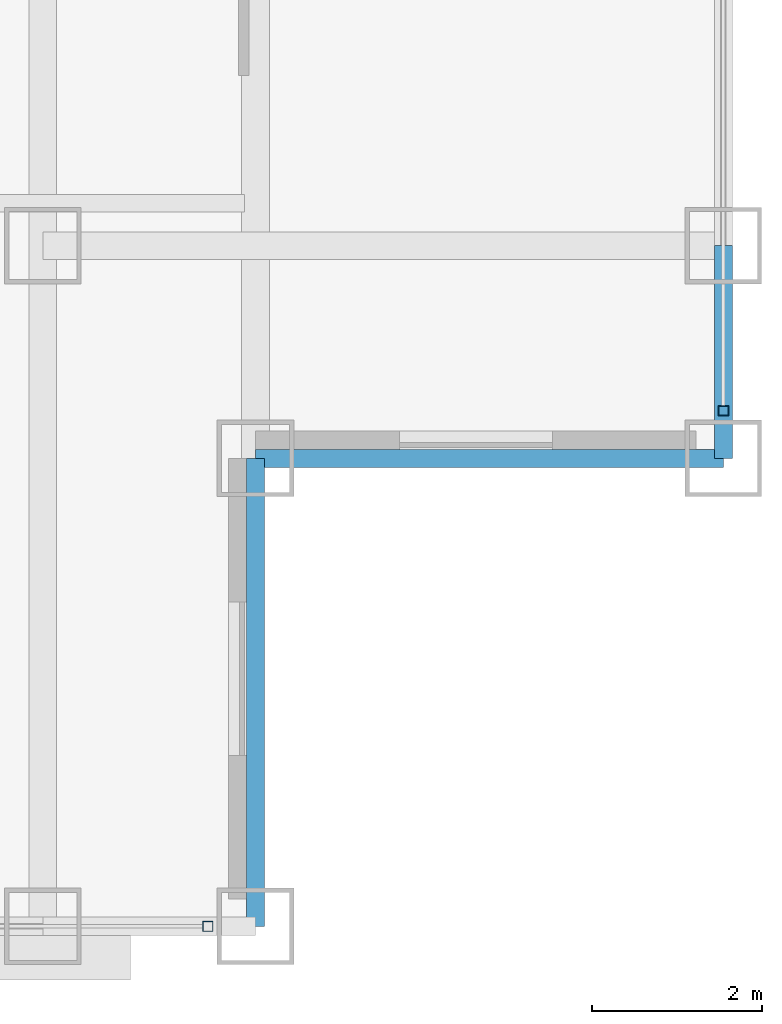
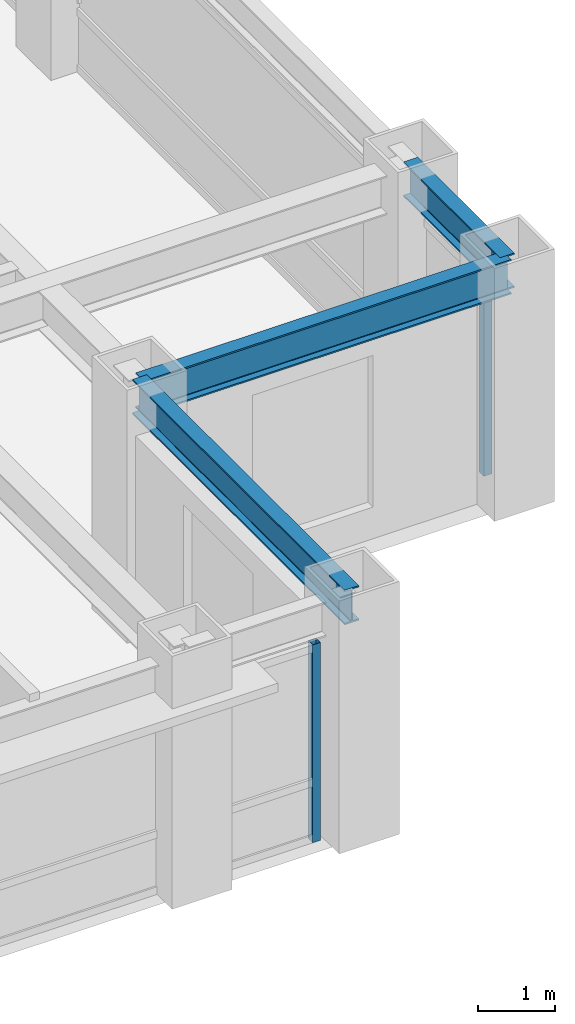
# One storey, part 8 of 27: 3 beams, 2 members, 2 elements without a shape of their own.
"""IFC4 building model written with IfcOpenShell, lengths in metres."""

import ifcopenshell
import ifcopenshell.guid

model = None  # the IFC model being written
_history = None  # IfcOwnerHistory: only IFC2X3 demands one
_inside = {}  # id of a spatial element -> (the spatial element, [elements in it])
_under = {}  # id of a project, library or spatial element -> (it, [spatial elements below it])
_declared = {}  # id of a project -> (the project, [libraries it declares])
_typed = {}  # id of a type object -> (the type object, [elements of that type])
_made_of = {}  # id of a material, layer set ... -> (it, [elements and type objects made of it])


def new_model(schema):
    """Start an empty IFC model of exactly this schema.

    Asked for "IFC4X3", IfcOpenShell would pick the latest addendum, in which some entities
    have other attributes; the version numbers below select the first issue.
    IFC2X3 requires an IfcOwnerHistory on every rooted entity: one is made here for all.
    """
    global model, _history
    if schema == "IFC4X3":
        model = ifcopenshell.file(schema_version=(4, 3, 0, 0))
    else:
        model = ifcopenshell.file(schema=schema)
    _inside.clear()
    _under.clear()
    _declared.clear()
    _typed.clear()
    _made_of.clear()
    _history = None
    if model.schema == "IFC2X3":
        org = make("IfcOrganization", Name="unknown")
        user = make(
            "IfcPersonAndOrganization",
            ThePerson=make("IfcPerson", FamilyName="unknown"),
            TheOrganization=org,
        )
        app = make(
            "IfcApplication",
            ApplicationDeveloper=org,
            Version="unknown",
            ApplicationFullName="unknown",
            ApplicationIdentifier="unknown",
        )
        _history = make(
            "IfcOwnerHistory",
            OwningUser=user,
            OwningApplication=app,
            ChangeAction="ADDED",
            CreationDate=0,
        )
    return model


def make(cls, **values):
    """One entity of the class cls with the attributes given. An attribute that is None is left unset."""
    return model.create_entity(
        cls, **{name: value for name, value in values.items() if value is not None}
    )


def rooted(cls, **values):
    """An entity with a GlobalId (a new one), such as an element, a storey or a relation."""
    return make(cls, GlobalId=ifcopenshell.guid.new(), OwnerHistory=_history, **values)


def si_unit(unit_type, name, prefix=None):
    """IfcSIUnit, for example si_unit("LENGTHUNIT", "METRE", prefix="MILLI")."""
    return make("IfcSIUnit", UnitType=unit_type, Prefix=prefix, Name=name)


def assignment(units):
    """IfcUnitAssignment: the units of a project."""
    return None if units is None else make("IfcUnitAssignment", Units=units)


def point(xyz):
    """IfcCartesianPoint."""
    return None if xyz is None else make("IfcCartesianPoint", Coordinates=xyz)


def direction(xyz):
    """IfcDirection."""
    return None if xyz is None else make("IfcDirection", DirectionRatios=xyz)


def frame(location, z_axis=None, x_axis=None):
    """IfcAxis2Placement3D, a coordinate frame: its origin and axes. An axis left out is left unset."""
    return make(
        "IfcAxis2Placement3D",
        Location=point(location),
        Axis=direction(z_axis),
        RefDirection=direction(x_axis),
    )


def frame_2d(location, x_axis=None):
    """IfcAxis2Placement2D, a coordinate frame in the plane: its origin and x axis."""
    return make(
        "IfcAxis2Placement2D", Location=point(location), RefDirection=direction(x_axis)
    )


def origin():
    """The frame at (0, 0, 0) with its axes left unset."""
    return frame((0.0, 0.0, 0.0))


def origin_2d():
    """The frame at (0, 0) in the plane with its x axis left unset."""
    return frame_2d((0.0, 0.0))


def place(relative_to, where):
    """IfcLocalPlacement: puts the frame where relative to a parent placement (None: the world)."""
    return make(
        "IfcLocalPlacement", PlacementRelTo=relative_to, RelativePlacement=where
    )


def context(
    kind, dimensions, precision=None, world=None, true_north=None, identifier=None
):
    """IfcGeometricRepresentationContext, for example the 3D "Model" context."""
    return make(
        "IfcGeometricRepresentationContext",
        ContextIdentifier=identifier,
        ContextType=kind,
        CoordinateSpaceDimension=dimensions,
        Precision=precision,
        WorldCoordinateSystem=world,
        TrueNorth=true_north,
    )


def subcontext(parent, identifier, kind, view, scale=None):
    """IfcGeometricRepresentationSubContext, for example "Body" below "Model"."""
    return make(
        "IfcGeometricRepresentationSubContext",
        ContextIdentifier=identifier,
        ContextType=kind,
        ParentContext=parent,
        TargetScale=scale,
        TargetView=view,
    )


def project(units=None, contexts=None):
    """IfcProject with its units and contexts."""
    return rooted(
        "IfcProject",
        Name="project",
        RepresentationContexts=contexts,
        UnitsInContext=assignment(units),
    )


def spatial(cls, under=None, at=None, **own):
    """A site, building, storey or space (cls), placed at a placement, below another one or the project."""
    s = rooted(cls, ObjectPlacement=at, **own)
    if under is not None:
        _under.setdefault(under.id(), (under, []))[1].append(s)
    return s


def profile(cls, at=None, kind="AREA", **sizes):
    """A parametric profile (cls). Its sizes go by their IFC names, for example OverallWidth=200.0."""
    return make(cls, ProfileType=kind, Position=at, **sizes)


def hollow_rectangle(**sizes):
    """IfcRectangleHollowProfileDef."""
    return profile("IfcRectangleHollowProfileDef", **sizes)


def i_section(**sizes):
    """IfcIShapeProfileDef."""
    return profile("IfcIShapeProfileDef", **sizes)


def extrude(swept, where, along, depth):
    """IfcExtrudedAreaSolid: the profile swept, set in the frame where, extruded along a direction by depth."""
    return make(
        "IfcExtrudedAreaSolid",
        SweptArea=swept,
        Position=where,
        ExtrudedDirection=direction(along),
        Depth=depth,
    )


def shape(context_of_items, identifier, shape_type, items):
    """IfcShapeRepresentation: the items that make up one representation, for example the "Body"."""
    return make(
        "IfcShapeRepresentation",
        ContextOfItems=context_of_items,
        RepresentationIdentifier=identifier,
        RepresentationType=shape_type,
        Items=items,
    )


def source(mapping_origin, context_of_items, identifier, shape_type, items):
    """IfcRepresentationMap: a shape defined once, which mapped items show again and again."""
    return make(
        "IfcRepresentationMap",
        MappingOrigin=mapping_origin,
        MappedRepresentation=shape(context_of_items, identifier, shape_type, items),
    )


def transform(
    local_origin,
    x_axis=None,
    y_axis=None,
    z_axis=None,
    scale=None,
    scale2=None,
    scale3=None,
    uniform=True,
):
    """IfcCartesianTransformationOperator3D, or its non-uniform kind. x_axis, y_axis, z_axis: its Axis1, 2, 3."""
    if uniform:
        return make(
            "IfcCartesianTransformationOperator3D",
            Axis1=direction(x_axis),
            Axis2=direction(y_axis),
            LocalOrigin=point(local_origin),
            Scale=scale,
            Axis3=direction(z_axis),
        )
    return make(
        "IfcCartesianTransformationOperator3DnonUniform",
        Axis1=direction(x_axis),
        Axis2=direction(y_axis),
        LocalOrigin=point(local_origin),
        Scale=scale,
        Axis3=direction(z_axis),
        Scale2=scale2,
        Scale3=scale3,
    )


def mapped(mapping_source, mapping_target):
    """IfcMappedItem: shows the shape of a source again, moved by a transform."""
    return make(
        "IfcMappedItem", MappingSource=mapping_source, MappingTarget=mapping_target
    )


def material(Name=None, Category=None):
    """IfcMaterial."""
    return make("IfcMaterial", Name=Name, Category=Category)


def material_profile(
    of_material, cross_section, Name=None, Category=None, Priority=None
):
    """IfcMaterialProfile: a cross section and its material."""
    return make(
        "IfcMaterialProfile",
        Name=Name,
        Material=of_material,
        Profile=cross_section,
        Priority=Priority,
        Category=Category,
    )


def profile_set(profiles, Name=None, composite=None):
    """IfcMaterialProfileSet."""
    return make(
        "IfcMaterialProfileSet",
        Name=Name,
        MaterialProfiles=profiles,
        CompositeProfile=composite,
    )


def made_of(thing, what):
    """Note that an element or type object is made of a material, layer set ...; save() writes the relation."""
    if what is not None:
        _made_of.setdefault(what.id(), (what, []))[1].append(thing)
    return thing


def type_object(cls, material=None, **own):
    """A type object (cls), such as IfcWallType, which elements share."""
    return made_of(rooted(cls, **own), material)


def element(
    cls,
    number,
    at=None,
    inside=None,
    cuts=None,
    type_object=None,
    material=None,
    context=None,
    identifier="Body",
    shape_type=None,
    held_by="IfcProductDefinitionShape",
    body=None,
    shapes=None,
    **own,
):
    """One element of the class cls, such as IfcWall. Its Tag is "e" and its number.

    at: its placement. inside: the storey or other place that contains it. cuts: it is an
    opening in that element (IfcRelVoidsElement). A single representation is given by context,
    identifier, shape_type and body (its items); several are given by shapes. held_by: the class
    of the entity that holds the representations. save() writes the other relations.
    """
    e = rooted(cls, Tag="e%d" % number, ObjectPlacement=at, **own)
    if body is not None:
        shapes = [shape(context, identifier, shape_type, body)]
    if shapes is not None:
        e.Representation = make(held_by, Representations=shapes)
    if inside is not None:
        _inside.setdefault(inside.id(), (inside, []))[1].append(e)
    if cuts is not None:
        rooted(
            "IfcRelVoidsElement", RelatingBuildingElement=cuts, RelatedOpeningElement=e
        )
    if type_object is not None:
        _typed.setdefault(type_object.id(), (type_object, []))[1].append(e)
    return made_of(e, material)


def aggregate(whole, parts):
    """IfcRelAggregates: a whole, such as a stair, and the parts it consists of."""
    return rooted("IfcRelAggregates", RelatingObject=whole, RelatedObjects=parts)


def save(model, path):
    """Write the relations noted so far, then the file.

    IfcRelAggregates (storeys below a building ...), IfcRelContainedInSpatialStructure (elements
    in a storey), IfcRelDefinesByType, IfcRelAssociatesMaterial and IfcRelDeclares: one each for
    every whole, place, type object, material and project.
    """
    for whole, parts in _under.values():
        aggregate(whole, parts)
    for where, things in _inside.values():
        rooted(
            "IfcRelContainedInSpatialStructure",
            RelatedElements=things,
            RelatingStructure=where,
        )
    for kind, things in _typed.values():
        rooted("IfcRelDefinesByType", RelatedObjects=things, RelatingType=kind)
    for what, things in _made_of.values():
        rooted("IfcRelAssociatesMaterial", RelatedObjects=things, RelatingMaterial=what)
    for by, libraries in _declared.values():
        rooted("IfcRelDeclares", RelatingContext=by, RelatedDefinitions=libraries)
    model.write(path)


model = new_model("IFC4")

# Units and contexts
model_context = context("Model", 3, precision=1e-05, world=origin(), true_north=direction((0.0, 1.0)))
body_context = subcontext(model_context, "Body", "Model", "MODEL_VIEW")
ifc_project = project(units=[si_unit("LENGTHUNIT", "METRE"), si_unit("AREAUNIT", "SQUARE_METRE"), si_unit("VOLUMEUNIT", "CUBIC_METRE"), si_unit("PLANEANGLEUNIT", "RADIAN"), si_unit("MASSUNIT", "GRAM", prefix="KILO")], contexts=[model_context])

# Site, building, storey
site_placement = place(None, origin())
site = spatial("IfcSite", under=ifc_project, at=site_placement, CompositionType="ELEMENT")
building_placement = place(site_placement, origin())
building = spatial("IfcBuilding", under=site, at=building_placement, Name="Khorayat Bourse Tower", CompositionType="ELEMENT")
storey_placement = place(building_placement, frame((0.0, 0.0, 317.5)))
storey = spatial("IfcBuildingStorey", under=building, at=storey_placement, Name="L75", CompositionType="ELEMENT", Elevation=317.5)

# Beams
ifc_material_1 = material(Name="Steel ASTM A992 Grade 50", Category="steel")
ifc_material_profile_1 = material_profile(ifc_material_1, i_section(OverallWidth=0.214111328125, OverallDepth=0.549072265625, WebThickness=0.0146484375, FlangeThickness=0.023681640625, FilletRadius=0.013916015625, at=origin_2d()), Name="W530X138")
ifc_profile_set_1 = profile_set([ifc_material_profile_1], Name="Steel ASTM A992 Grade 50")
beam_type = type_object("IfcBeamType", Name="BM-SPAN-530", PredefinedType="SPANDREL", material=ifc_profile_set_1)
shared_shape_1 = source(origin(), body_context, "Body", "SweptSolid", [
    extrude(i_section(OverallWidth=0.214111328125, OverallDepth=0.549072265625, WebThickness=0.0146484375, FlangeThickness=0.023681640625, FilletRadius=0.013916015625, at=origin_2d()), origin(), (0.0, 0.0, 1.0), 2.5),
])
beam_placement = place(storey_placement, frame((28.0, -22.5, 3.505615234375), z_axis=(0.0, 1.0, 0.0), x_axis=(-1.0, 0.0, 0.0)))
element("IfcBeam", 1, at=beam_placement, inside=storey, type_object=beam_type, Name="L75 BM-SPAN-530 BM-L75-SPN-034", PredefinedType="SPANDREL", context=body_context, shape_type="MappedRepresentation", body=[
    mapped(shared_shape_1, transform((0.0, 0.0, 0.0), scale=1.0)),
])
shared_shape_2 = source(origin(), body_context, "Body", "SweptSolid", [
    extrude(i_section(OverallWidth=0.214111328125, OverallDepth=0.549072265625, WebThickness=0.0146484375, FlangeThickness=0.023681640625, FilletRadius=0.013916015625, at=origin_2d()), origin(), (0.0, 0.0, 1.0), 5.5),
])
for number, where, z_axis, x_axis, name in (
    (2, (22.5, -28.0, 3.505615234375), (0.0, 1.0, 0.0), (-1.0, 0.0, 0.0), "L75 BM-SPAN-530 BM-L75-SPN-032"),
    (3, (22.5, -22.5, 3.505615234375), (1.0, 0.0, 0.0), (0.0, 1.0, 0.0), "L75 BM-SPAN-530 BM-L75-SPN-033"),
):
    element("IfcBeam", number, at=place(storey_placement, frame(where, z_axis=z_axis, x_axis=x_axis)), inside=storey, type_object=beam_type, Name=name, PredefinedType="SPANDREL", context=body_context, shape_type="MappedRepresentation", body=[
        mapped(shared_shape_2, transform((0.0, 0.0, 0.0), scale=1.0)),
    ])

# Curtain wall, member
ifc_material_2 = material(Name="Aluminium EN AW-6063 T6", Category="aluminium")
curtain_wall_type = type_object("IfcCurtainWallType", Name="CW-SYS-04", PredefinedType="NOTDEFINED", material=ifc_material_2)
curtain_wall_1_placement = place(storey_placement, origin())
curtain_wall_1 = element("IfcCurtainWall", 4, at=curtain_wall_1_placement, inside=storey, type_object=curtain_wall_type, Name="L75 Curtain Wall CW-L75-S1", PredefinedType="NOTDEFINED")
ifc_material_profile_2 = material_profile(ifc_material_2, hollow_rectangle(XDim=0.1201171875, YDim=0.1201171875, WallThickness=0.0048828125, at=origin_2d()), Name="ALU 120x120x5")
ifc_profile_set_2 = profile_set([ifc_material_profile_2], Name="Aluminium EN AW-6063 T6")
member_type = type_object("IfcMemberType", Name="CWM-VERT-120", PredefinedType="MULLION", material=ifc_profile_set_2)
shared_shape_3 = source(origin(), body_context, "Body", "SweptSolid", [
    extrude(hollow_rectangle(XDim=0.1201171875, YDim=0.1201171875, WallThickness=0.0048828125, at=origin_2d()), origin(), (0.0, 0.0, 1.0), 3.1298828125),
])
member_1_placement = place(storey_placement, frame((21.93994140625, -28.0, 0.0), z_axis=(0.0, 0.0, 1.0), x_axis=(0.0, 1.0, 0.0)))
member_1 = element("IfcMember", 5, at=member_1_placement, type_object=member_type, Name="CW-L75-S1 Vertical Mullion 3", PredefinedType="MULLION", context=body_context, shape_type="MappedRepresentation", body=[
    mapped(shared_shape_3, transform((0.0, 0.0, 0.0), scale=1.0)),
])
aggregate(curtain_wall_1, [member_1])

curtain_wall_2_placement = place(storey_placement, origin())
curtain_wall_2 = element("IfcCurtainWall", 6, at=curtain_wall_2_placement, inside=storey, type_object=curtain_wall_type, Name="L75 Curtain Wall CW-L75-E1", PredefinedType="NOTDEFINED")
member_2_placement = place(storey_placement, frame((28.0, -21.93994140625, 0.0), z_axis=(0.0, 0.0, 1.0), x_axis=(-1.0, 0.0, 0.0)))
member_2 = element("IfcMember", 7, at=member_2_placement, type_object=member_type, Name="CW-L75-E1 Vertical Mullion 1", PredefinedType="MULLION", context=body_context, shape_type="MappedRepresentation", body=[
    mapped(shared_shape_3, transform((0.0, 0.0, 0.0), scale=1.0)),
])
aggregate(curtain_wall_2, [member_2])

save(model, "model.ifc")
